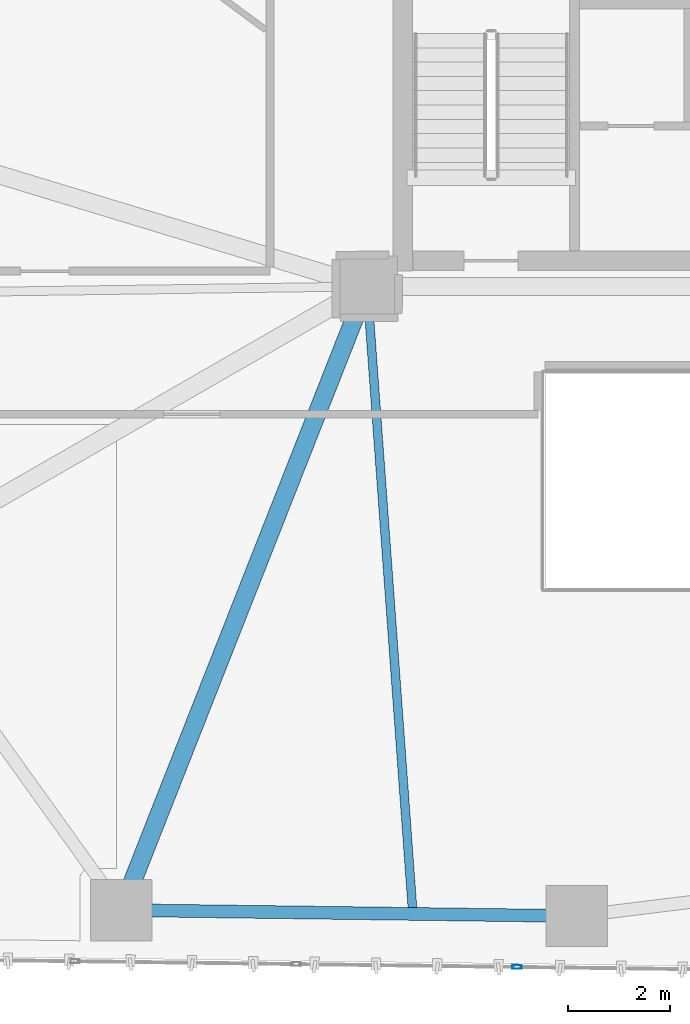
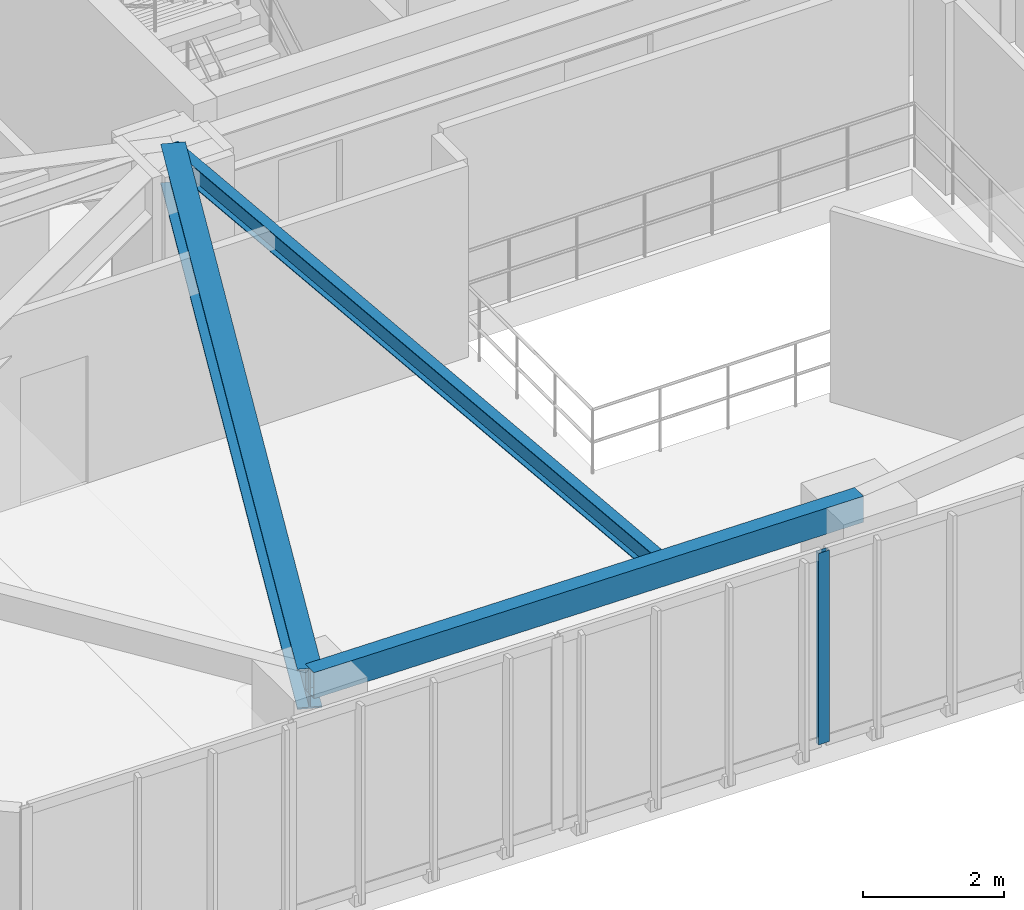
# One storey, part 3 of 22: 3 beams, 1 member, 1 element without a shape of its own.
"""IFC4 building model written with IfcOpenShell, lengths in metres."""

from ifc_helpers import new_model, si_unit, direction, frame, origin, origin_2d, place, context, subcontext, project, spatial, hollow_rectangle, i_section, extrude, source, transform, mapped, material, layer, layer_set, material_profile, profile_set, type_object, type_shapes, element, aggregate, save


model = new_model("IFC4")

# Units and contexts
model_context = context("Model", 3, precision=1e-05, world=origin(), true_north=direction((0.0, 1.0)))
body_context = subcontext(model_context, "Body", "Model", "MODEL_VIEW")
ifc_project = project(units=[si_unit("LENGTHUNIT", "METRE"), si_unit("AREAUNIT", "SQUARE_METRE"), si_unit("VOLUMEUNIT", "CUBIC_METRE"), si_unit("PLANEANGLEUNIT", "RADIAN"), si_unit("MASSUNIT", "GRAM", prefix="KILO")], contexts=[model_context])

# Site, building, storey
site_placement = place(None, origin())
site = spatial("IfcSite", under=ifc_project, at=site_placement, CompositionType="ELEMENT")
building_placement = place(site_placement, origin())
building = spatial("IfcBuilding", under=site, at=building_placement, Name="Talar Marvaseh", CompositionType="ELEMENT")
storey_placement = place(building_placement, frame((0.0, 0.0, 89.39990234375)))
storey = spatial("IfcBuildingStorey", under=building, at=storey_placement, Name="L22", CompositionType="ELEMENT", Elevation=89.39990234375)

# Beams
ifc_material_1 = material(Name="Steel S355", Category="steel")
ifc_material_profile_1 = material_profile(ifc_material_1, hollow_rectangle(XDim=0.25, YDim=0.449951171875, WallThickness=0.01611328125, at=origin_2d()), Name="RHS450x250x16")
ifc_profile_set_1 = profile_set([ifc_material_profile_1], Name="Steel S355")
beam_type_1 = type_object("IfcBeamType", Name="Zone 2 Perimeter Spandrel Beam RHS450x250x16", PredefinedType="SPANDREL", material=ifc_profile_set_1)
beam_1_placement = place(storey_placement, frame((22.804931640625, 13.18310546875, 3.085205078125), z_axis=(-0.999915383581, 0.013008677034, 0.0), x_axis=(-0.013008677034, -0.999915383581, 0.0)))
element("IfcBeam", 1, at=beam_1_placement, inside=storey, type_object=beam_type_1, Name="L22 Zone 2 Perimeter Spandrel Beam RHS450x250x16", PredefinedType="SPANDREL", context=body_context, shape_type="SweptSolid", body=[
    extrude(hollow_rectangle(XDim=0.25, YDim=0.449951171875, WallThickness=0.01611328125, at=origin_2d()), origin(), (0.0, 0.0, 1.0), 8.91455078125),
])
ifc_material_profile_2 = material_profile(ifc_material_1, i_section(OverallWidth=0.35498046875, OverallDepth=0.695068359375, WebThickness=0.015380859375, FlangeThickness=0.02490234375, at=origin_2d()), Name="W690x217")
ifc_profile_set_2 = profile_set([ifc_material_profile_2], Name="Steel S355")
beam_type_2 = type_object("IfcBeamType", Name="Zone 2 Radial Floor Girder W690x217", PredefinedType="BEAM", material=ifc_profile_set_2)
beam_2_placement = place(storey_placement, frame((13.89111328125, 13.299072265625, 2.962646484375), z_axis=(0.366683712786, 0.930345664136, 0.0), x_axis=(-0.930345664136, 0.366683712786, 0.0)))
element("IfcBeam", 2, at=beam_2_placement, inside=storey, type_object=beam_type_2, Name="L22 Zone 2 Radial Floor Girder W690x217", PredefinedType="BEAM", context=body_context, shape_type="SweptSolid", body=[
    extrude(i_section(OverallWidth=0.35498046875, OverallDepth=0.695068359375, WebThickness=0.015380859375, FlangeThickness=0.02490234375, at=origin_2d()), origin(), (0.0, 0.0, 1.0), 13.114501953125),
])
ifc_material_profile_3 = material_profile(ifc_material_1, i_section(OverallWidth=0.172119140625, OverallDepth=0.35791015625, WebThickness=0.0078125, FlangeThickness=0.01318359375, at=origin_2d()), Name="W360x57")
ifc_profile_set_3 = profile_set([ifc_material_profile_3], Name="Steel S355")
beam_type_3 = type_object("IfcBeamType", Name="Zone 2 Secondary Floor Joist W360x57", PredefinedType="JOIST", material=ifc_profile_set_3)
beam_3_placement = place(storey_placement, frame((19.595947265625, 13.224853515625, 3.131103515625), z_axis=(-0.07279902415, 0.997346630857, 0.0), x_axis=(-0.997346630857, -0.07279902415, 0.0)))
element("IfcBeam", 3, at=beam_3_placement, inside=storey, type_object=beam_type_3, Name="L22 Zone 2 Secondary Floor Joist W360x57", PredefinedType="JOIST", context=body_context, shape_type="SweptSolid", body=[
    extrude(i_section(OverallWidth=0.172119140625, OverallDepth=0.35791015625, WebThickness=0.0078125, FlangeThickness=0.01318359375, at=origin_2d()), origin(), (0.0, 0.0, 1.0), 12.307861328125),
])

# Curtain wall, member
ifc_material_2 = material(Name="Architectural Aluminium", Category="aluminium")
ifc_layer = layer(ifc_material_2, 0.199951171875)
ifc_layer_set = layer_set([ifc_layer], Name="Architectural Aluminium")
curtain_wall_type = type_object("IfcCurtainWallType", Name="Unitised Acoustic Library Curtain Wall Z2", PredefinedType="NOTDEFINED", material=ifc_layer_set)
curtain_wall_placement = place(storey_placement, origin())
curtain_wall = element("IfcCurtainWall", 4, at=curtain_wall_placement, inside=storey, type_object=curtain_wall_type, Name="L22 Unitised Acoustic Library Curtain Wall Z2", PredefinedType="NOTDEFINED")
ifc_material_profile_4 = material_profile(ifc_material_2, hollow_rectangle(XDim=0.074951171875, YDim=0.179931640625, WallThickness=0.0048828125, at=origin_2d()), Name="RHS180x75x5")
ifc_profile_set_4 = profile_set([ifc_material_profile_4], Name="Architectural Aluminium")
member_type = type_object("IfcMemberType", Name="Unitised Curtain Wall Standard Mullion RHS180x75x5", PredefinedType="MULLION", material=ifc_profile_set_4)
shared_shape = source(origin(), body_context, "Body", "SweptSolid", [
    extrude(hollow_rectangle(XDim=0.074951171875, YDim=0.179931640625, WallThickness=0.0048828125, at=origin_2d()), origin(), (0.0, 0.0, 1.0), 3.31005859375),
])
type_shapes(member_type, [shared_shape])
member_placement = place(storey_placement, frame((21.634521484375, 12.1884765625, 0.0), z_axis=(0.0, 0.0, 1.0), x_axis=(-0.01293384095, -0.999916354381, 0.0)))
member = element("IfcMember", 5, at=member_placement, type_object=member_type, Name="CW-Z2 mullion 3", PredefinedType="MULLION", context=body_context, shape_type="MappedRepresentation", body=[
    mapped(shared_shape, transform((0.0, 0.0, 0.0), x_axis=(1.0, 0.0, 0.0), y_axis=(0.0, 1.0, 0.0), z_axis=(0.0, 0.0, 1.0), scale=1.0)),
])
aggregate(curtain_wall, [member])

save(model, "model.ifc")
